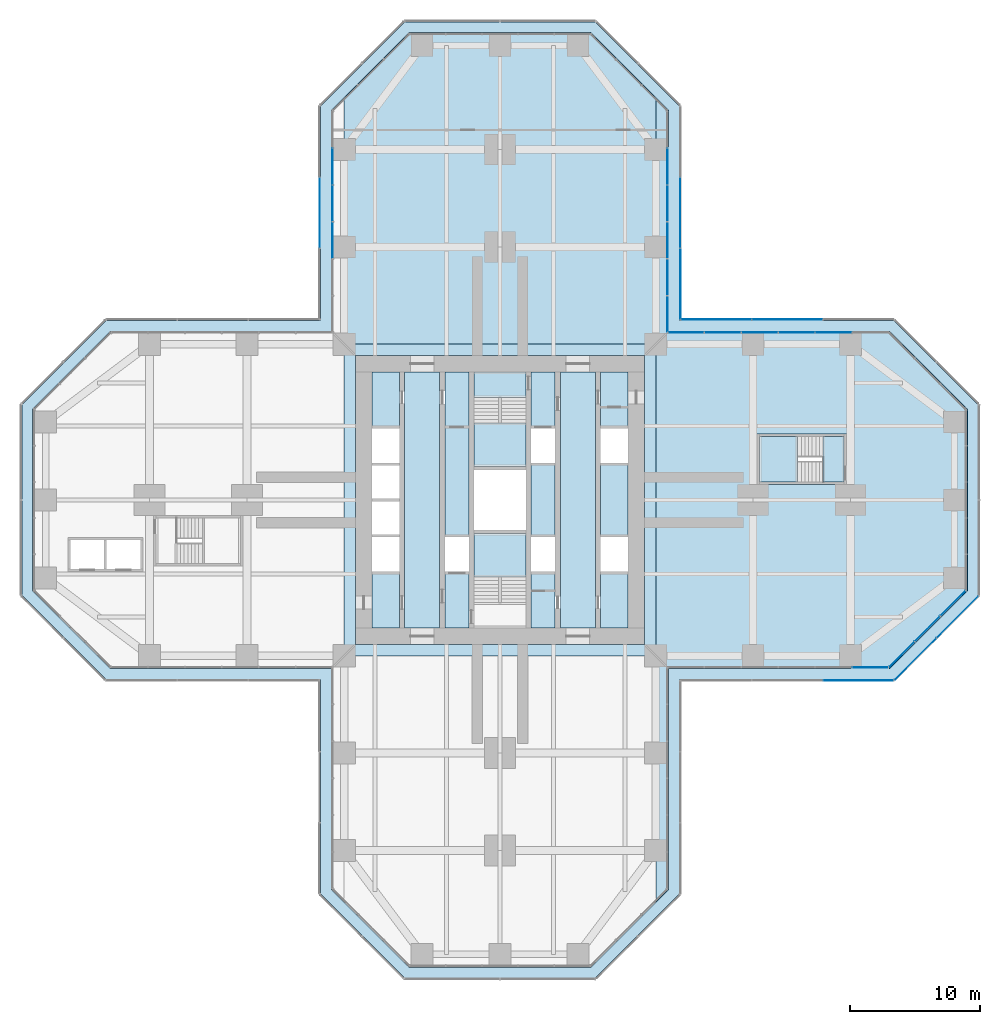
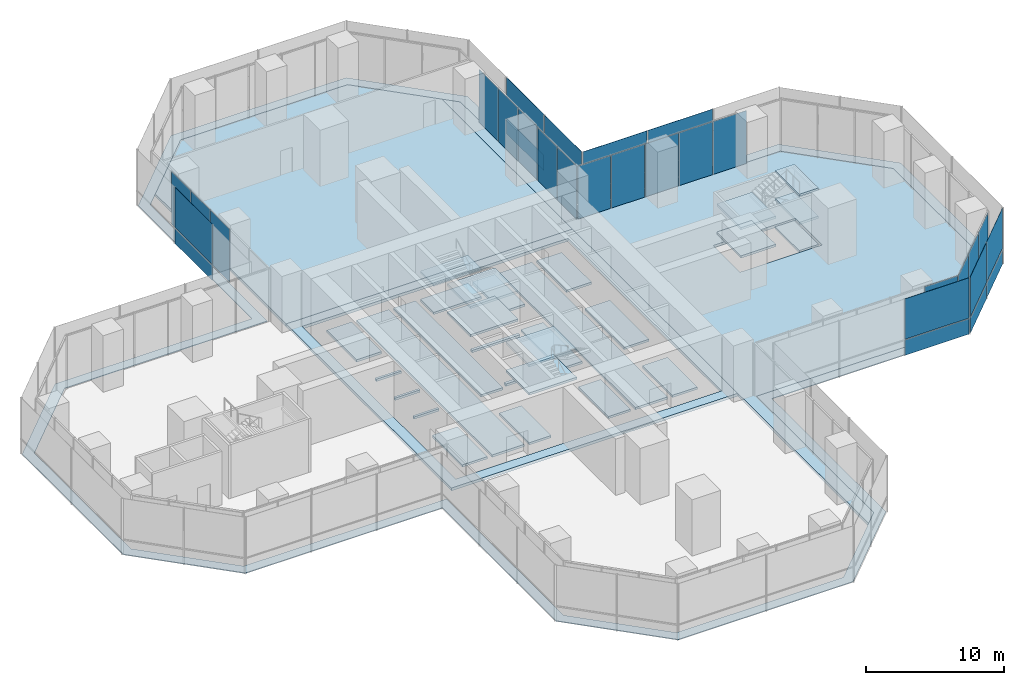
# One storey, part 15 of 23: 34 plates, 15 slabs, 13 elements without a shape of their own.
"""IFC4 building model written with IfcOpenShell, lengths in metres."""

from ifc_helpers import new_model, si_unit, direction, frame, origin, origin_2d, place, context, subcontext, project, spatial, polyline, rectangle, outline, extrude, material, layer, layer_set, type_object, element, aggregate, save


model = new_model("IFC4")

# Units and contexts
model_context = context("Model", 3, precision=1e-05, world=origin(), true_north=direction((0.0, 1.0)))
body_context = subcontext(model_context, "Body", "Model", "MODEL_VIEW")
ifc_project = project(units=[si_unit("LENGTHUNIT", "METRE"), si_unit("AREAUNIT", "SQUARE_METRE"), si_unit("VOLUMEUNIT", "CUBIC_METRE"), si_unit("PLANEANGLEUNIT", "RADIAN"), si_unit("MASSUNIT", "GRAM", prefix="KILO")], contexts=[model_context])

# Site, building, storey
site_placement = place(None, origin())
site = spatial("IfcSite", under=ifc_project, at=site_placement, CompositionType="ELEMENT")
building_placement = place(site_placement, origin())
building = spatial("IfcBuilding", under=site, at=building_placement, Name="Mizan Broadcast Tower", CompositionType="ELEMENT")
storey_placement = place(building_placement, frame((0.0, 0.0, 28.0)))
storey = spatial("IfcBuildingStorey", under=building, at=storey_placement, Name="L04", CompositionType="ELEMENT", Elevation=28.0)

# Plate
ifc_material_1 = material(Name="Aluminium grating", Category="aluminium")
ifc_layer_1 = layer(ifc_material_1, 0.050048828125)
ifc_layer_set_1 = layer_set([ifc_layer_1], Name="Aluminium grating")
plate_type_1 = type_object("IfcPlateType", Name="CAVITY GRATING", PredefinedType="USERDEFINED", material=ifc_layer_set_1)
plate_1_placement = place(storey_placement, frame((0.0, 0.0, -0.050048828125)))
element("IfcPlate", 1, at=plate_1_placement, inside=storey, type_object=plate_type_1, Name="Cavity grating L04", ObjectType="GRATING", PredefinedType="USERDEFINED", context=body_context, shape_type="SweptSolid", body=[
    extrude(outline(polyline([(7.339599609375, -36.820068359375), (13.820068359375, -30.339599609375), (13.820068359375, -13.820068359375), (30.339599609375, -13.820068359375), (36.820068359375, -7.339599609375), (36.820068359375, 7.339599609375), (30.339599609375, 13.820068359375), (13.820068359375, 13.820068359375), (13.820068359375, 30.339599609375), (7.339599609375, 36.820068359375), (-7.339599609375, 36.820068359375), (-13.820068359375, 30.339599609375), (-13.820068359375, 13.820068359375), (-30.339599609375, 13.820068359375), (-36.820068359375, 7.339599609375), (-36.820068359375, -7.339599609375), (-30.339599609375, -13.820068359375), (-13.820068359375, -13.820068359375), (-13.820068359375, -30.339599609375), (-7.339599609375, -36.820068359375), (7.339599609375, -36.820068359375)]), holes=[polyline([(36.0, -7.0), (30.0, -13.0), (13.0, -13.0), (13.0, -30.0), (7.0, -36.0), (-7.0, -36.0), (-13.0, -30.0), (-13.0, -13.0), (-30.0, -13.0), (-36.0, -7.0), (-36.0, 7.0), (-30.0, 13.0), (-13.0, 13.0), (-13.0, 30.0), (-7.0, 36.0), (7.0, 36.0), (13.0, 30.0), (13.0, 13.0), (30.0, 13.0), (36.0, 7.0), (36.0, -7.0)])]), origin(), (0.0, 0.0, 1.0), 0.050048828125),
])

# Slab
ifc_material_2 = material(Name="Concrete C40/50", Category="concrete")
ifc_layer_2 = layer(ifc_material_2, 0.199951171875)
ifc_layer_set_2 = layer_set([ifc_layer_2], Name="Concrete C40/50")
slab_type_1 = type_object("IfcSlabType", Name="CORE FLOOR 200", PredefinedType="FLOOR", material=ifc_layer_set_2)
slab_1_placement = place(storey_placement, frame((0.0, 0.0, -0.199951171875)))
element("IfcSlab", 2, at=slab_1_placement, inside=storey, type_object=slab_type_1, Name="Core floor L04", PredefinedType="FLOOR", context=body_context, shape_type="SweptSolid", body=[
    extrude(outline(polyline([(-9.85009765625, -9.85009765625), (-7.75, -9.85009765625), (-7.75, -5.5), (-9.85009765625, -5.5), (-9.85009765625, -9.85009765625)])), origin(), (0.0, 0.0, 1.0), 0.199951171875),
    extrude(outline(polyline([(-9.85009765625, -2.85009765625), (-7.75, -2.85009765625), (-7.75, -2.64990234375), (-9.85009765625, -2.64990234375), (-9.85009765625, -2.85009765625)])), origin(), (0.0, 0.0, 1.0), 0.199951171875),
    extrude(outline(polyline([(-9.85009765625, -0.10009765625), (-7.75, -0.10009765625), (-7.75, 0.10009765625), (-9.85009765625, 0.10009765625), (-9.85009765625, -0.10009765625)])), origin(), (0.0, 0.0, 1.0), 0.199951171875),
    extrude(outline(polyline([(-9.85009765625, 2.64990234375), (-7.75, 2.64990234375), (-7.75, 2.85009765625), (-9.85009765625, 2.85009765625), (-9.85009765625, 2.64990234375)])), origin(), (0.0, 0.0, 1.0), 0.199951171875),
    extrude(outline(polyline([(-9.85009765625, 5.5), (-7.75, 5.5), (-7.75, 9.85009765625), (-9.85009765625, 9.85009765625), (-9.85009765625, 5.5)])), origin(), (0.0, 0.0, 1.0), 0.199951171875),
    extrude(outline(polyline([(-4.64990234375, 9.85009765625), (-7.35009765625, 9.85009765625), (-7.35009765625, -9.85009765625), (-4.64990234375, -9.85009765625), (-4.64990234375, 9.85009765625)])), origin(), (0.0, 0.0, 1.0), 0.199951171875),
    extrude(outline(polyline([(-4.25, -5.5), (-4.25, -9.85009765625), (-2.39990234375, -9.85009765625), (-2.39990234375, -5.5), (-4.25, -5.5)])), origin(), (0.0, 0.0, 1.0), 0.199951171875),
    extrude(outline(polyline([(-4.25, -2.85009765625), (-2.39990234375, -2.85009765625), (-2.39990234375, 9.85009765625), (-4.25, 9.85009765625), (-4.25, -2.85009765625)])), origin(), (0.0, 0.0, 1.0), 0.199951171875),
    extrude(outline(polyline([(2.0, -2.324951171875), (-2.0, -2.324951171875), (-2.0, -2.574951171875), (2.0, -2.574951171875), (2.0, -2.324951171875)])), origin(), (0.0, 0.0, 1.0), 0.199951171875),
    extrude(outline(polyline([(2.0, 2.574951171875), (-2.0, 2.574951171875), (-2.0, 2.324951171875), (2.0, 2.324951171875), (2.0, 2.574951171875)])), origin(), (0.0, 0.0, 1.0), 0.199951171875),
    extrude(outline(polyline([(4.25, -9.85009765625), (4.25, -5.5), (2.39990234375, -5.5), (2.39990234375, -9.85009765625), (4.25, -9.85009765625)])), origin(), (0.0, 0.0, 1.0), 0.199951171875),
    extrude(outline(polyline([(4.25, -2.85009765625), (4.25, 2.85009765625), (2.39990234375, 2.85009765625), (2.39990234375, -2.85009765625), (4.25, -2.85009765625)])), origin(), (0.0, 0.0, 1.0), 0.199951171875),
    extrude(outline(polyline([(4.25, 5.5), (4.25, 9.85009765625), (2.39990234375, 9.85009765625), (2.39990234375, 5.5), (4.25, 5.5)])), origin(), (0.0, 0.0, 1.0), 0.199951171875),
    extrude(outline(polyline([(4.64990234375, 9.85009765625), (4.64990234375, -9.85009765625), (7.35009765625, -9.85009765625), (7.35009765625, 9.85009765625), (4.64990234375, 9.85009765625)])), origin(), (0.0, 0.0, 1.0), 0.199951171875),
    extrude(outline(polyline([(9.85009765625, -9.85009765625), (9.85009765625, -5.5), (7.75, -5.5), (7.75, -9.85009765625), (9.85009765625, -9.85009765625)])), origin(), (0.0, 0.0, 1.0), 0.199951171875),
    extrude(outline(polyline([(7.75, 2.85009765625), (7.75, -2.85009765625), (9.85009765625, -2.85009765625), (9.85009765625, 2.85009765625), (7.75, 2.85009765625)])), origin(), (0.0, 0.0, 1.0), 0.199951171875),
    extrude(outline(polyline([(9.85009765625, 5.5), (9.85009765625, 9.85009765625), (7.75, 9.85009765625), (7.75, 5.5), (9.85009765625, 5.5)])), origin(), (0.0, 0.0, 1.0), 0.199951171875),
])

# Curtain wall, plates
ifc_material_3 = material(Name="Aluminium framed glazing", Category="aluminium")
curtain_wall_type_1 = type_object("IfcCurtainWallType", Name="OUTER SKIN", PredefinedType="USERDEFINED", material=ifc_material_3)
curtain_wall_1_placement = place(storey_placement, origin())
curtain_wall_1 = element("IfcCurtainWall", 3, at=curtain_wall_1_placement, inside=storey, type_object=curtain_wall_type_1, Name="Outer skin L04 E side", ObjectType="OUTER SKIN", PredefinedType="USERDEFINED")
ifc_material_4 = material(Name="Laminated clear glass", Category="glass")
ifc_layer_3 = layer(ifc_material_4, 0.02001953125)
ifc_layer_set_3 = layer_set([ifc_layer_3], Name="Laminated clear glass")
plate_type_2 = type_object("IfcPlateType", Name="OUTER SKIN CLEAR GLASS", PredefinedType="CURTAIN_PANEL", material=ifc_layer_set_3)
plate_2_placement = place(storey_placement, frame((27.607421875, -13.89990234375, 0.0), z_axis=(0.0, 0.0, 1.0), x_axis=(1.0, 0.0, 0.0)))
plate_2 = element("IfcPlate", 4, at=plate_2_placement, type_object=plate_type_2, Name="Outer skin L04 E side panel 3.1", PredefinedType="CURTAIN_PANEL", context=body_context, shape_type="SweptSolid", body=[
    extrude(rectangle(XDim=5.370849609375, YDim=0.02001953125, at=origin_2d()), origin(), (0.0, 0.0, 1.0), 1.3701171875),
])
plate_3_placement = place(storey_placement, frame((27.607421875, -13.89990234375, 1.43017578125), z_axis=(0.0, 0.0, 1.0), x_axis=(1.0, 0.0, 0.0)))
plate_3 = element("IfcPlate", 5, at=plate_3_placement, type_object=plate_type_2, Name="Outer skin L04 E side panel 3.2", PredefinedType="CURTAIN_PANEL", context=body_context, shape_type="SweptSolid", body=[
    extrude(rectangle(XDim=5.370849609375, YDim=0.02001953125, at=origin_2d()), origin(), (0.0, 0.0, 1.0), 3.570068359375),
])
aggregate(curtain_wall_1, [plate_2, plate_3])

curtain_wall_2_placement = place(storey_placement, origin())
curtain_wall_2 = element("IfcCurtainWall", 6, at=curtain_wall_2_placement, inside=storey, type_object=curtain_wall_type_1, Name="Outer skin L04 E chamfer", ObjectType="OUTER SKIN", PredefinedType="USERDEFINED")
plate_4_placement = place(storey_placement, frame((32.018798828125, -12.254150390625, 0.0), z_axis=(0.0, 0.0, 1.0), x_axis=(0.707106781187, 0.707106781187, 0.0)))
plate_4 = element("IfcPlate", 7, at=plate_4_placement, type_object=plate_type_2, Name="Outer skin L04 E chamfer panel 1.1", PredefinedType="CURTAIN_PANEL", context=body_context, shape_type="SweptSolid", body=[
    extrude(rectangle(XDim=4.495361328125, YDim=0.02001953125, at=origin_2d()), origin(), (0.0, 0.0, 1.0), 1.3701171875),
])
plate_5_placement = place(storey_placement, frame((32.018798828125, -12.254150390625, 1.43017578125), z_axis=(0.0, 0.0, 1.0), x_axis=(0.707106781187, 0.707106781187, 0.0)))
plate_5 = element("IfcPlate", 8, at=plate_5_placement, type_object=plate_type_2, Name="Outer skin L04 E chamfer panel 1.2", PredefinedType="CURTAIN_PANEL", context=body_context, shape_type="SweptSolid", body=[
    extrude(rectangle(XDim=4.495361328125, YDim=0.02001953125, at=origin_2d()), origin(), (0.0, 0.0, 1.0), 3.570068359375),
])

curtain_wall_3_placement = place(storey_placement, origin())
curtain_wall_3 = element("IfcCurtainWall", 9, at=curtain_wall_3_placement, inside=storey, type_object=curtain_wall_type_1, Name="Outer skin L04 E side", ObjectType="OUTER SKIN", PredefinedType="USERDEFINED")
plate_6_placement = place(storey_placement, frame((22.136474609375, 13.89990234375, 0.0), z_axis=(0.0, 0.0, 1.0), x_axis=(-1.0, 0.0, 0.0)))
plate_6 = element("IfcPlate", 10, at=plate_6_placement, type_object=plate_type_2, Name="Outer skin L04 E side panel 2.1", PredefinedType="CURTAIN_PANEL", context=body_context, shape_type="SweptSolid", body=[
    extrude(rectangle(XDim=5.410888671875, YDim=0.02001953125, at=origin_2d()), origin(), (0.0, 0.0, 1.0), 1.3701171875),
])
plate_7_placement = place(storey_placement, frame((22.136474609375, 13.89990234375, 1.43017578125), z_axis=(0.0, 0.0, 1.0), x_axis=(-1.0, 0.0, 0.0)))
plate_7 = element("IfcPlate", 11, at=plate_7_placement, type_object=plate_type_2, Name="Outer skin L04 E side panel 2.2", PredefinedType="CURTAIN_PANEL", context=body_context, shape_type="SweptSolid", body=[
    extrude(rectangle(XDim=5.410888671875, YDim=0.02001953125, at=origin_2d()), origin(), (0.0, 0.0, 1.0), 3.570068359375),
])
plate_8_placement = place(storey_placement, frame((16.66552734375, 13.89990234375, 0.0), z_axis=(0.0, 0.0, 1.0), x_axis=(-1.0, 0.0, 0.0)))
plate_8 = element("IfcPlate", 12, at=plate_8_placement, type_object=plate_type_2, Name="Outer skin L04 E side panel 3.1", PredefinedType="CURTAIN_PANEL", context=body_context, shape_type="SweptSolid", body=[
    extrude(rectangle(XDim=5.370849609375, YDim=0.02001953125, at=origin_2d()), origin(), (0.0, 0.0, 1.0), 1.3701171875),
])
plate_9_placement = place(storey_placement, frame((16.66552734375, 13.89990234375, 1.43017578125), z_axis=(0.0, 0.0, 1.0), x_axis=(-1.0, 0.0, 0.0)))
plate_9 = element("IfcPlate", 13, at=plate_9_placement, type_object=plate_type_2, Name="Outer skin L04 E side panel 3.2", PredefinedType="CURTAIN_PANEL", context=body_context, shape_type="SweptSolid", body=[
    extrude(rectangle(XDim=5.370849609375, YDim=0.02001953125, at=origin_2d()), origin(), (0.0, 0.0, 1.0), 3.570068359375),
])
aggregate(curtain_wall_3, [plate_6, plate_7, plate_8, plate_9])

curtain_wall_4_placement = place(storey_placement, origin())
curtain_wall_4 = element("IfcCurtainWall", 14, at=curtain_wall_4_placement, inside=storey, type_object=curtain_wall_type_1, Name="Outer skin L04 N side", ObjectType="OUTER SKIN", PredefinedType="USERDEFINED")
plate_10_placement = place(storey_placement, frame((13.89990234375, 16.66552734375, 0.0), z_axis=(0.0, 0.0, 1.0), x_axis=(0.0, 1.0, 0.0)))
plate_10 = element("IfcPlate", 15, at=plate_10_placement, type_object=plate_type_2, Name="Outer skin L04 N side panel 1.1", PredefinedType="CURTAIN_PANEL", context=body_context, shape_type="SweptSolid", body=[
    extrude(rectangle(XDim=5.370849609375, YDim=0.02001953125, at=origin_2d()), origin(), (0.0, 0.0, 1.0), 1.3701171875),
])
plate_11_placement = place(storey_placement, frame((13.89990234375, 16.66552734375, 1.43017578125), z_axis=(0.0, 0.0, 1.0), x_axis=(0.0, 1.0, 0.0)))
plate_11 = element("IfcPlate", 16, at=plate_11_placement, type_object=plate_type_2, Name="Outer skin L04 N side panel 1.2", PredefinedType="CURTAIN_PANEL", context=body_context, shape_type="SweptSolid", body=[
    extrude(rectangle(XDim=5.370849609375, YDim=0.02001953125, at=origin_2d()), origin(), (0.0, 0.0, 1.0), 3.570068359375),
])

# Plate
ifc_material_5 = material(Name="Perforated aluminium, pale anodised", Category="aluminium")
ifc_layer_4 = layer(ifc_material_5, 0.011962890625)
ifc_layer_set_4 = layer_set([ifc_layer_4], Name="Perforated aluminium, pale anodised")
plate_type_3 = type_object("IfcPlateType", Name="OUTER SKIN PERFORATED SCREEN", PredefinedType="USERDEFINED", material=ifc_layer_set_4)
plate_12_placement = place(storey_placement, frame((35.254150390625, -9.018798828125, 0.0), z_axis=(0.0, 0.0, 1.0), x_axis=(0.707106781187, 0.707106781187, 0.0)))
plate_12 = element("IfcPlate", 17, at=plate_12_placement, type_object=plate_type_3, Name="Outer skin L04 E chamfer panel 2.1", ObjectType="SCREEN", PredefinedType="USERDEFINED", context=body_context, shape_type="SweptSolid", body=[
    extrude(rectangle(XDim=4.495361328125, YDim=0.011962890625, at=origin_2d()), origin(), (0.0, 0.0, 1.0), 1.3701171875),
])

plate_13_placement = place(storey_placement, frame((35.254150390625, -9.018798828125, 1.43017578125), z_axis=(0.0, 0.0, 1.0), x_axis=(0.707106781187, 0.707106781187, 0.0)))
plate_13 = element("IfcPlate", 18, at=plate_13_placement, type_object=plate_type_3, Name="Outer skin L04 E chamfer panel 2.2", ObjectType="SCREEN", PredefinedType="USERDEFINED", context=body_context, shape_type="SweptSolid", body=[
    extrude(rectangle(XDim=4.495361328125, YDim=0.011962890625, at=origin_2d()), origin(), (0.0, 0.0, 1.0), 3.570068359375),
])

aggregate(curtain_wall_2, [plate_4, plate_5, plate_12, plate_13])

plate_14_placement = place(storey_placement, frame((13.89990234375, 22.136474609375, 0.0), z_axis=(0.0, 0.0, 1.0), x_axis=(0.0, 1.0, 0.0)))
plate_14 = element("IfcPlate", 19, at=plate_14_placement, type_object=plate_type_3, Name="Outer skin L04 N side panel 2.1", ObjectType="SCREEN", PredefinedType="USERDEFINED", context=body_context, shape_type="SweptSolid", body=[
    extrude(rectangle(XDim=5.410888671875, YDim=0.011962890625, at=origin_2d()), origin(), (0.0, 0.0, 1.0), 1.3701171875),
])

plate_15_placement = place(storey_placement, frame((13.89990234375, 22.136474609375, 1.43017578125), z_axis=(0.0, 0.0, 1.0), x_axis=(0.0, 1.0, 0.0)))
plate_15 = element("IfcPlate", 20, at=plate_15_placement, type_object=plate_type_3, Name="Outer skin L04 N side panel 2.2", ObjectType="SCREEN", PredefinedType="USERDEFINED", context=body_context, shape_type="SweptSolid", body=[
    extrude(rectangle(XDim=5.410888671875, YDim=0.011962890625, at=origin_2d()), origin(), (0.0, 0.0, 1.0), 3.570068359375),
])

aggregate(curtain_wall_4, [plate_10, plate_11, plate_14, plate_15])

# Curtain wall, plates
curtain_wall_5_placement = place(storey_placement, origin())
curtain_wall_5 = element("IfcCurtainWall", 21, at=curtain_wall_5_placement, inside=storey, type_object=curtain_wall_type_1, Name="Outer skin L04 N side", ObjectType="OUTER SKIN", PredefinedType="USERDEFINED")
plate_16_placement = place(storey_placement, frame((-13.89990234375, 22.136474609375, 0.0), z_axis=(0.0, 0.0, 1.0), x_axis=(0.0, -1.0, 0.0)))
plate_16 = element("IfcPlate", 22, at=plate_16_placement, type_object=plate_type_3, Name="Outer skin L04 N side panel 2.1", ObjectType="SCREEN", PredefinedType="USERDEFINED", context=body_context, shape_type="SweptSolid", body=[
    extrude(rectangle(XDim=5.410888671875, YDim=0.011962890625, at=origin_2d()), origin(), (0.0, 0.0, 1.0), 1.3701171875),
])
plate_17_placement = place(storey_placement, frame((-13.89990234375, 22.136474609375, 1.43017578125), z_axis=(0.0, 0.0, 1.0), x_axis=(0.0, -1.0, 0.0)))
plate_17 = element("IfcPlate", 23, at=plate_17_placement, type_object=plate_type_3, Name="Outer skin L04 N side panel 2.2", ObjectType="SCREEN", PredefinedType="USERDEFINED", context=body_context, shape_type="SweptSolid", body=[
    extrude(rectangle(XDim=5.410888671875, YDim=0.011962890625, at=origin_2d()), origin(), (0.0, 0.0, 1.0), 3.570068359375),
])
aggregate(curtain_wall_5, [plate_16, plate_17])

# Curtain wall, plate
ifc_material_6 = material(Name="Aluminium framed glazing", Category="aluminium")
curtain_wall_type_2 = type_object("IfcCurtainWallType", Name="PODIUM CURTAIN WALL", PredefinedType="USERDEFINED", material=ifc_material_6)
curtain_wall_6_placement = place(storey_placement, origin())
curtain_wall_6 = element("IfcCurtainWall", 24, at=curtain_wall_6_placement, inside=storey, type_object=curtain_wall_type_2, Name="Podium curtain wall L04 E side", ObjectType="PODIUM CURTAIN WALL", PredefinedType="USERDEFINED")
ifc_material_7 = material(Name="Double glazing, clear laminated", Category="glass")
ifc_layer_5 = layer(ifc_material_7, 0.031982421875)
ifc_layer_set_5 = layer_set([ifc_layer_5], Name="Double glazing, clear laminated")
plate_type_4 = type_object("IfcPlateType", Name="PODIUM GLAZING UNIT", PredefinedType="CURTAIN_PANEL", material=ifc_layer_set_5)
plate_18_placement = place(storey_placement, frame((28.52197265625, -12.89990234375, 0.0), z_axis=(0.0, 0.0, 1.0), x_axis=(1.0, 0.0, 0.0)))
plate_18 = element("IfcPlate", 25, at=plate_18_placement, type_object=plate_type_4, Name="Podium curtain wall L04 E side panel 6.1", PredefinedType="CURTAIN_PANEL", context=body_context, shape_type="SweptSolid", body=[
    extrude(rectangle(XDim=2.753173828125, YDim=0.031982421875, at=origin_2d()), origin(), (0.0, 0.0, 1.0), 4.68994140625),
])
aggregate(curtain_wall_6, [plate_18])

# Curtain wall, plates
curtain_wall_7_placement = place(storey_placement, origin())
curtain_wall_7 = element("IfcCurtainWall", 26, at=curtain_wall_7_placement, inside=storey, type_object=curtain_wall_type_2, Name="Podium curtain wall L04 E chamfer", ObjectType="PODIUM CURTAIN WALL", PredefinedType="USERDEFINED")
plate_19_placement = place(storey_placement, frame((30.95947265625, -11.899169921875, 0.0), z_axis=(0.0, 0.0, 1.0), x_axis=(0.707106781187, 0.707106781187, 0.0)))
plate_19 = element("IfcPlate", 27, at=plate_19_placement, type_object=plate_type_4, Name="Podium curtain wall L04 E chamfer panel 1.1", PredefinedType="CURTAIN_PANEL", context=body_context, shape_type="SweptSolid", body=[
    extrude(rectangle(XDim=2.710693359375, YDim=0.031982421875, at=origin_2d()), origin(), (0.0, 0.0, 1.0), 4.68994140625),
])
plate_20_placement = place(storey_placement, frame((32.92919921875, -9.92919921875, 0.0), z_axis=(0.0, 0.0, 1.0), x_axis=(0.707106781187, 0.707106781187, 0.0)))
plate_20 = element("IfcPlate", 28, at=plate_20_placement, type_object=plate_type_4, Name="Podium curtain wall L04 E chamfer panel 2.1", PredefinedType="CURTAIN_PANEL", context=body_context, shape_type="SweptSolid", body=[
    extrude(rectangle(XDim=2.74072265625, YDim=0.031982421875, at=origin_2d()), origin(), (0.0, 0.0, 1.0), 4.68994140625),
])
plate_21_placement = place(storey_placement, frame((34.899169921875, -7.95947265625, 0.0), z_axis=(0.0, 0.0, 1.0), x_axis=(0.707106781187, 0.707106781187, 0.0)))
plate_21 = element("IfcPlate", 29, at=plate_21_placement, type_object=plate_type_4, Name="Podium curtain wall L04 E chamfer panel 3.1", PredefinedType="CURTAIN_PANEL", context=body_context, shape_type="SweptSolid", body=[
    extrude(rectangle(XDim=2.710693359375, YDim=0.031982421875, at=origin_2d()), origin(), (0.0, 0.0, 1.0), 4.68994140625),
])
aggregate(curtain_wall_7, [plate_19, plate_20, plate_21])

curtain_wall_8_placement = place(storey_placement, origin())
curtain_wall_8 = element("IfcCurtainWall", 30, at=curtain_wall_8_placement, inside=storey, type_object=curtain_wall_type_2, Name="Podium curtain wall L04 E side", ObjectType="PODIUM CURTAIN WALL", PredefinedType="USERDEFINED")
plate_22_placement = place(storey_placement, frame((25.69384765625, 12.89990234375, 0.0), z_axis=(0.0, 0.0, 1.0), x_axis=(-1.0, 0.0, 0.0)))
plate_22 = element("IfcPlate", 31, at=plate_22_placement, type_object=plate_type_4, Name="Podium curtain wall L04 E side panel 2.1", PredefinedType="CURTAIN_PANEL", context=body_context, shape_type="SweptSolid", body=[
    extrude(rectangle(XDim=2.783203125, YDim=0.031982421875, at=origin_2d()), origin(), (0.0, 0.0, 1.0), 4.68994140625),
])
plate_23_placement = place(storey_placement, frame((22.850830078125, 12.89990234375, 0.0), z_axis=(0.0, 0.0, 1.0), x_axis=(-1.0, 0.0, 0.0)))
plate_23 = element("IfcPlate", 32, at=plate_23_placement, type_object=plate_type_4, Name="Podium curtain wall L04 E side panel 3.1", PredefinedType="CURTAIN_PANEL", context=body_context, shape_type="SweptSolid", body=[
    extrude(rectangle(XDim=2.783203125, YDim=0.031982421875, at=origin_2d()), origin(), (0.0, 0.0, 1.0), 4.68994140625),
])
plate_24_placement = place(storey_placement, frame((20.0078125, 12.89990234375, 0.0), z_axis=(0.0, 0.0, 1.0), x_axis=(-1.0, 0.0, 0.0)))
plate_24 = element("IfcPlate", 33, at=plate_24_placement, type_object=plate_type_4, Name="Podium curtain wall L04 E side panel 4.1", PredefinedType="CURTAIN_PANEL", context=body_context, shape_type="SweptSolid", body=[
    extrude(rectangle(XDim=2.783203125, YDim=0.031982421875, at=origin_2d()), origin(), (0.0, 0.0, 1.0), 4.68994140625),
])
plate_25_placement = place(storey_placement, frame((17.16455078125, 12.89990234375, 0.0), z_axis=(0.0, 0.0, 1.0), x_axis=(-1.0, 0.0, 0.0)))
plate_25 = element("IfcPlate", 34, at=plate_25_placement, type_object=plate_type_4, Name="Podium curtain wall L04 E side panel 5.1", PredefinedType="CURTAIN_PANEL", context=body_context, shape_type="SweptSolid", body=[
    extrude(rectangle(XDim=2.783203125, YDim=0.031982421875, at=origin_2d()), origin(), (0.0, 0.0, 1.0), 4.68994140625),
])
plate_26_placement = place(storey_placement, frame((14.336669921875, 12.89990234375, 0.0), z_axis=(0.0, 0.0, 1.0), x_axis=(-1.0, 0.0, 0.0)))
plate_26 = element("IfcPlate", 35, at=plate_26_placement, type_object=plate_type_4, Name="Podium curtain wall L04 E side panel 6.1", PredefinedType="CURTAIN_PANEL", context=body_context, shape_type="SweptSolid", body=[
    extrude(rectangle(XDim=2.753173828125, YDim=0.031982421875, at=origin_2d()), origin(), (0.0, 0.0, 1.0), 4.68994140625),
])
aggregate(curtain_wall_8, [plate_22, plate_23, plate_24, plate_25, plate_26])

curtain_wall_9_placement = place(storey_placement, origin())
curtain_wall_9 = element("IfcCurtainWall", 36, at=curtain_wall_9_placement, inside=storey, type_object=curtain_wall_type_2, Name="Podium curtain wall L04 N side", ObjectType="PODIUM CURTAIN WALL", PredefinedType="USERDEFINED")
plate_27_placement = place(storey_placement, frame((12.89990234375, 14.336669921875, 0.0), z_axis=(0.0, 0.0, 1.0), x_axis=(0.0, 1.0, 0.0)))
plate_27 = element("IfcPlate", 37, at=plate_27_placement, type_object=plate_type_4, Name="Podium curtain wall L04 N side panel 1.1", PredefinedType="CURTAIN_PANEL", context=body_context, shape_type="SweptSolid", body=[
    extrude(rectangle(XDim=2.753173828125, YDim=0.031982421875, at=origin_2d()), origin(), (0.0, 0.0, 1.0), 4.68994140625),
])
plate_28_placement = place(storey_placement, frame((12.89990234375, 17.16455078125, 0.0), z_axis=(0.0, 0.0, 1.0), x_axis=(0.0, 1.0, 0.0)))
plate_28 = element("IfcPlate", 38, at=plate_28_placement, type_object=plate_type_4, Name="Podium curtain wall L04 N side panel 2.1", PredefinedType="CURTAIN_PANEL", context=body_context, shape_type="SweptSolid", body=[
    extrude(rectangle(XDim=2.783203125, YDim=0.031982421875, at=origin_2d()), origin(), (0.0, 0.0, 1.0), 4.68994140625),
])
plate_29_placement = place(storey_placement, frame((12.89990234375, 20.0078125, 0.0), z_axis=(0.0, 0.0, 1.0), x_axis=(0.0, 1.0, 0.0)))
plate_29 = element("IfcPlate", 39, at=plate_29_placement, type_object=plate_type_4, Name="Podium curtain wall L04 N side panel 3.1", PredefinedType="CURTAIN_PANEL", context=body_context, shape_type="SweptSolid", body=[
    extrude(rectangle(XDim=2.783203125, YDim=0.031982421875, at=origin_2d()), origin(), (0.0, 0.0, 1.0), 4.68994140625),
])
plate_30_placement = place(storey_placement, frame((12.89990234375, 22.850830078125, 0.0), z_axis=(0.0, 0.0, 1.0), x_axis=(0.0, 1.0, 0.0)))
plate_30 = element("IfcPlate", 40, at=plate_30_placement, type_object=plate_type_4, Name="Podium curtain wall L04 N side panel 4.1", PredefinedType="CURTAIN_PANEL", context=body_context, shape_type="SweptSolid", body=[
    extrude(rectangle(XDim=2.783203125, YDim=0.031982421875, at=origin_2d()), origin(), (0.0, 0.0, 1.0), 4.68994140625),
])
plate_31_placement = place(storey_placement, frame((12.89990234375, 25.69384765625, 0.0), z_axis=(0.0, 0.0, 1.0), x_axis=(0.0, 1.0, 0.0)))
plate_31 = element("IfcPlate", 41, at=plate_31_placement, type_object=plate_type_4, Name="Podium curtain wall L04 N side panel 5.1", PredefinedType="CURTAIN_PANEL", context=body_context, shape_type="SweptSolid", body=[
    extrude(rectangle(XDim=2.783203125, YDim=0.031982421875, at=origin_2d()), origin(), (0.0, 0.0, 1.0), 4.68994140625),
])
aggregate(curtain_wall_9, [plate_27, plate_28, plate_29, plate_30, plate_31])

curtain_wall_10_placement = place(storey_placement, origin())
curtain_wall_10 = element("IfcCurtainWall", 42, at=curtain_wall_10_placement, inside=storey, type_object=curtain_wall_type_2, Name="Podium curtain wall L04 N side", ObjectType="PODIUM CURTAIN WALL", PredefinedType="USERDEFINED")
plate_32_placement = place(storey_placement, frame((-12.89990234375, 25.69384765625, 0.0), z_axis=(0.0, 0.0, 1.0), x_axis=(0.0, -1.0, 0.0)))
plate_32 = element("IfcPlate", 43, at=plate_32_placement, type_object=plate_type_4, Name="Podium curtain wall L04 N side panel 2.1", PredefinedType="CURTAIN_PANEL", context=body_context, shape_type="SweptSolid", body=[
    extrude(rectangle(XDim=2.783203125, YDim=0.031982421875, at=origin_2d()), origin(), (0.0, 0.0, 1.0), 4.68994140625),
])
plate_33_placement = place(storey_placement, frame((-12.89990234375, 22.850830078125, 0.0), z_axis=(0.0, 0.0, 1.0), x_axis=(0.0, -1.0, 0.0)))
plate_33 = element("IfcPlate", 44, at=plate_33_placement, type_object=plate_type_4, Name="Podium curtain wall L04 N side panel 3.1", PredefinedType="CURTAIN_PANEL", context=body_context, shape_type="SweptSolid", body=[
    extrude(rectangle(XDim=2.783203125, YDim=0.031982421875, at=origin_2d()), origin(), (0.0, 0.0, 1.0), 4.68994140625),
])
plate_34_placement = place(storey_placement, frame((-12.89990234375, 20.0078125, 0.0), z_axis=(0.0, 0.0, 1.0), x_axis=(0.0, -1.0, 0.0)))
plate_34 = element("IfcPlate", 45, at=plate_34_placement, type_object=plate_type_4, Name="Podium curtain wall L04 N side panel 4.1", PredefinedType="CURTAIN_PANEL", context=body_context, shape_type="SweptSolid", body=[
    extrude(rectangle(XDim=2.783203125, YDim=0.031982421875, at=origin_2d()), origin(), (0.0, 0.0, 1.0), 4.68994140625),
])
aggregate(curtain_wall_10, [plate_32, plate_33, plate_34])

# Slabs
ifc_material_8 = material(Name="Concrete C40/50", Category="concrete")
ifc_layer_6 = layer(ifc_material_8, 0.25)
ifc_layer_set_6 = layer_set([ifc_layer_6], Name="Concrete C40/50")
slab_type_2 = type_object("IfcSlabType", Name="RC FLAT SLAB 250", PredefinedType="FLOOR", material=ifc_layer_set_6)
slab_2_placement = place(storey_placement, frame((0.0, 0.0, -0.25)))
element("IfcSlab", 46, at=slab_2_placement, inside=storey, type_object=slab_type_2, Name="Floor slab L04 centre", PredefinedType="FLOOR", context=body_context, shape_type="SweptSolid", body=[
    extrude(outline(polyline([(-12.0, -12.0), (12.0, -12.0), (12.0, 12.0), (-12.0, 12.0), (-12.0, -12.0)]), holes=[polyline([(11.14990234375, 11.14990234375), (11.14990234375, -11.14990234375), (-11.14990234375, -11.14990234375), (-11.14990234375, 11.14990234375), (11.14990234375, 11.14990234375)])]), origin(), (0.0, 0.0, 1.0), 0.25),
])
slab_3_placement = place(storey_placement, frame((0.0, 0.0, -0.25)))
element("IfcSlab", 47, at=slab_3_placement, inside=storey, type_object=slab_type_2, Name="Floor slab L04 east arm", PredefinedType="FLOOR", context=body_context, shape_type="SweptSolid", body=[
    extrude(outline(polyline([(13.0, 30.0), (12.0, 31.0), (12.0, -31.0), (13.0, -30.0), (13.0, -13.0), (30.0, -13.0), (36.0, -7.0), (36.0, 7.0), (30.0, 13.0), (13.0, 13.0), (13.0, 30.0)]), holes=[polyline([(19.800048828125, 1.199951171875), (19.800048828125, 5.10009765625), (26.699951171875, 5.10009765625), (26.699951171875, 1.199951171875), (19.800048828125, 1.199951171875)])]), origin(), (0.0, 0.0, 1.0), 0.25),
])
slab_4_placement = place(storey_placement, frame((0.0, 0.0, -0.25)))
element("IfcSlab", 48, at=slab_4_placement, inside=storey, type_object=slab_type_2, Name="Floor slab L04 north arm", PredefinedType="FLOOR", context=body_context, shape_type="SweptSolid", body=[
    extrude(outline(polyline([(-7.0, 36.0), (-12.0, 31.0), (-12.0, 12.0), (12.0, 12.0), (12.0, 31.0), (7.0, 36.0), (-7.0, 36.0)])), origin(), (0.0, 0.0, 1.0), 0.25),
])

# Stair, slabs
ifc_material_9 = material(Name="Concrete C40/50", Category="concrete")
stair_type = type_object("IfcStairType", Name="EXIT STAIR", PredefinedType="HALF_TURN_STAIR", material=ifc_material_9)
stair_1_placement = place(storey_placement, origin())
stair_1 = element("IfcStair", 49, at=stair_1_placement, inside=storey, type_object=stair_type, Name="Stair A L04", PredefinedType="HALF_TURN_STAIR")
ifc_material_10 = material(Name="Concrete C40/50", Category="concrete")
ifc_layer_7 = layer(ifc_material_10, 0.199951171875)
ifc_layer_set_7 = layer_set([ifc_layer_7], Name="Concrete C40/50")
slab_type_3 = type_object("IfcSlabType", Name="STAIR LANDING 200", PredefinedType="LANDING", material=ifc_layer_set_7)
slab_5_placement = place(storey_placement, frame((0.0, 0.0, 1.050048828125)))
slab_5 = element("IfcSlab", 50, at=slab_5_placement, type_object=slab_type_3, Name="A landing 2", PredefinedType="LANDING", context=body_context, shape_type="SweptSolid", body=[
    extrude(outline(polyline([(-2.0, -5.93994140625), (-2.0, -2.574951171875), (2.0, -2.574951171875), (2.0, -5.93994140625), (-2.0, -5.93994140625)])), origin(), (0.0, 0.0, 1.0), 0.199951171875),
])
slab_6_placement = place(storey_placement, frame((0.0, 0.0, 3.550048828125)))
slab_6 = element("IfcSlab", 51, at=slab_6_placement, type_object=slab_type_3, Name="A landing 4", PredefinedType="LANDING", context=body_context, shape_type="SweptSolid", body=[
    extrude(outline(polyline([(-2.0, -5.93994140625), (-2.0, -2.574951171875), (2.0, -2.574951171875), (2.0, -5.93994140625), (-2.0, -5.93994140625)])), origin(), (0.0, 0.0, 1.0), 0.199951171875),
])
aggregate(stair_1, [slab_5, slab_6])

stair_2_placement = place(storey_placement, origin())
stair_2 = element("IfcStair", 52, at=stair_2_placement, inside=storey, type_object=stair_type, Name="Stair B L04", PredefinedType="HALF_TURN_STAIR")
slab_7_placement = place(storey_placement, frame((0.0, 0.0, -0.199951171875)))
slab_7 = element("IfcSlab", 53, at=slab_7_placement, type_object=slab_type_3, Name="B landing 1", PredefinedType="LANDING", context=body_context, shape_type="SweptSolid", body=[
    extrude(outline(polyline([(2.0, 9.85009765625), (2.0, 7.89990234375), (-2.0, 7.89990234375), (-2.0, 9.85009765625), (2.0, 9.85009765625)])), origin(), (0.0, 0.0, 1.0), 0.199951171875),
])
slab_8_placement = place(storey_placement, frame((0.0, 0.0, 1.050048828125)))
slab_8 = element("IfcSlab", 54, at=slab_8_placement, type_object=slab_type_3, Name="B landing 2", PredefinedType="LANDING", context=body_context, shape_type="SweptSolid", body=[
    extrude(outline(polyline([(2.0, 5.93994140625), (2.0, 2.574951171875), (-2.0, 2.574951171875), (-2.0, 5.93994140625), (2.0, 5.93994140625)])), origin(), (0.0, 0.0, 1.0), 0.199951171875),
])
slab_9_placement = place(storey_placement, frame((0.0, 0.0, 2.300048828125)))
slab_9 = element("IfcSlab", 55, at=slab_9_placement, type_object=slab_type_3, Name="B landing 3", PredefinedType="LANDING", context=body_context, shape_type="SweptSolid", body=[
    extrude(outline(polyline([(2.0, 9.85009765625), (2.0, 7.89990234375), (-2.0, 7.89990234375), (-2.0, 9.85009765625), (2.0, 9.85009765625)])), origin(), (0.0, 0.0, 1.0), 0.199951171875),
])
slab_10_placement = place(storey_placement, frame((0.0, 0.0, 3.550048828125)))
slab_10 = element("IfcSlab", 56, at=slab_10_placement, type_object=slab_type_3, Name="B landing 4", PredefinedType="LANDING", context=body_context, shape_type="SweptSolid", body=[
    extrude(outline(polyline([(2.0, 5.93994140625), (2.0, 2.574951171875), (-2.0, 2.574951171875), (-2.0, 5.93994140625), (2.0, 5.93994140625)])), origin(), (0.0, 0.0, 1.0), 0.199951171875),
])
aggregate(stair_2, [slab_7, slab_8, slab_9, slab_10])

stair_3_placement = place(storey_placement, origin())
stair_3 = element("IfcStair", 57, at=stair_3_placement, inside=storey, type_object=stair_type, Name="Stair C L04", PredefinedType="HALF_TURN_STAIR")
slab_11_placement = place(storey_placement, frame((0.0, 0.0, -0.199951171875)))
slab_11 = element("IfcSlab", 58, at=slab_11_placement, type_object=slab_type_3, Name="C landing 1", PredefinedType="LANDING", context=body_context, shape_type="SweptSolid", body=[
    extrude(outline(polyline([(26.5, 1.39990234375), (24.889892578125, 1.39990234375), (24.889892578125, 4.89990234375), (26.5, 4.89990234375), (26.5, 1.39990234375)])), origin(), (0.0, 0.0, 1.0), 0.199951171875),
])
slab_12_placement = place(storey_placement, frame((0.0, 0.0, 1.050048828125)))
slab_12 = element("IfcSlab", 59, at=slab_12_placement, type_object=slab_type_3, Name="C landing 2", PredefinedType="LANDING", context=body_context, shape_type="SweptSolid", body=[
    extrude(outline(polyline([(22.929931640625, 1.39990234375), (20.0, 1.39990234375), (20.0, 4.89990234375), (22.929931640625, 4.89990234375), (22.929931640625, 1.39990234375)])), origin(), (0.0, 0.0, 1.0), 0.199951171875),
])
slab_13_placement = place(storey_placement, frame((0.0, 0.0, 2.300048828125)))
slab_13 = element("IfcSlab", 60, at=slab_13_placement, type_object=slab_type_3, Name="C landing 3", PredefinedType="LANDING", context=body_context, shape_type="SweptSolid", body=[
    extrude(outline(polyline([(26.5, 1.39990234375), (24.889892578125, 1.39990234375), (24.889892578125, 4.89990234375), (26.5, 4.89990234375), (26.5, 1.39990234375)])), origin(), (0.0, 0.0, 1.0), 0.199951171875),
])
slab_14_placement = place(storey_placement, frame((0.0, 0.0, 3.550048828125)))
slab_14 = element("IfcSlab", 61, at=slab_14_placement, type_object=slab_type_3, Name="C landing 4", PredefinedType="LANDING", context=body_context, shape_type="SweptSolid", body=[
    extrude(outline(polyline([(22.929931640625, 1.39990234375), (20.0, 1.39990234375), (20.0, 4.89990234375), (22.929931640625, 4.89990234375), (22.929931640625, 1.39990234375)])), origin(), (0.0, 0.0, 1.0), 0.199951171875),
])
slab_15_placement = place(storey_placement, frame((0.0, 0.0, 4.800048828125)))
slab_15 = element("IfcSlab", 62, at=slab_15_placement, type_object=slab_type_3, Name="C landing 5", PredefinedType="LANDING", context=body_context, shape_type="SweptSolid", body=[
    extrude(outline(polyline([(26.5, 1.39990234375), (24.889892578125, 1.39990234375), (24.889892578125, 4.89990234375), (26.5, 4.89990234375), (26.5, 1.39990234375)])), origin(), (0.0, 0.0, 1.0), 0.199951171875),
])
aggregate(stair_3, [slab_11, slab_12, slab_13, slab_14, slab_15])

save(model, "model.ifc")
